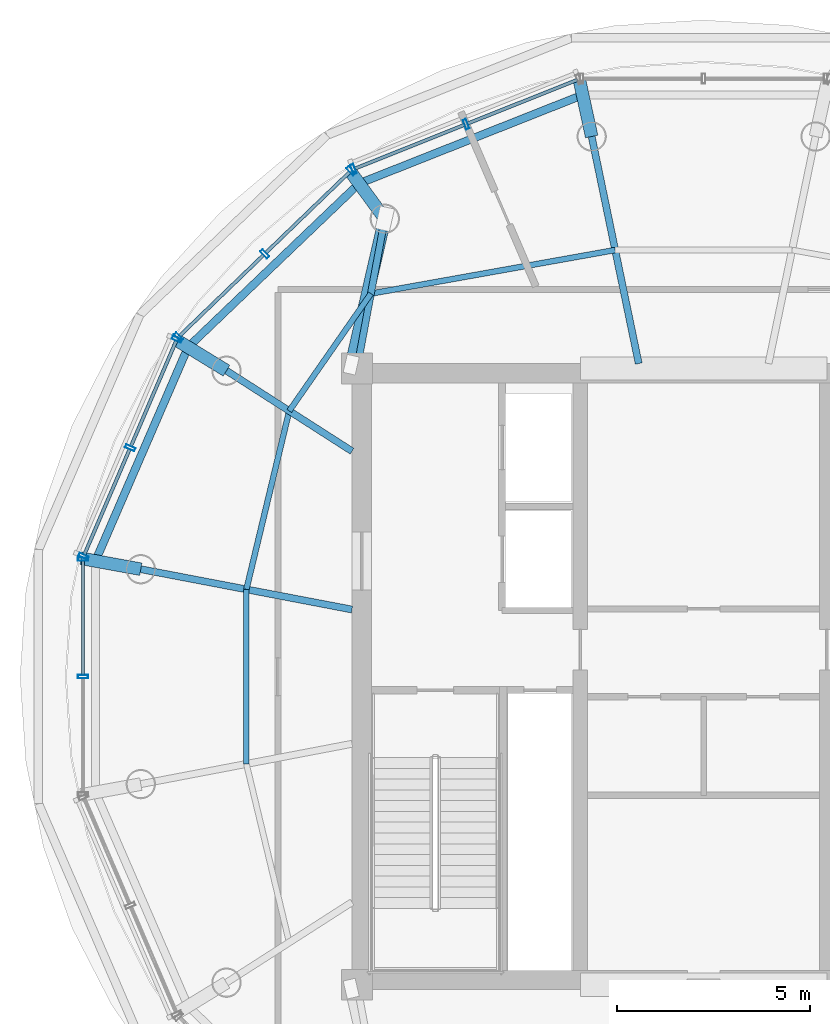
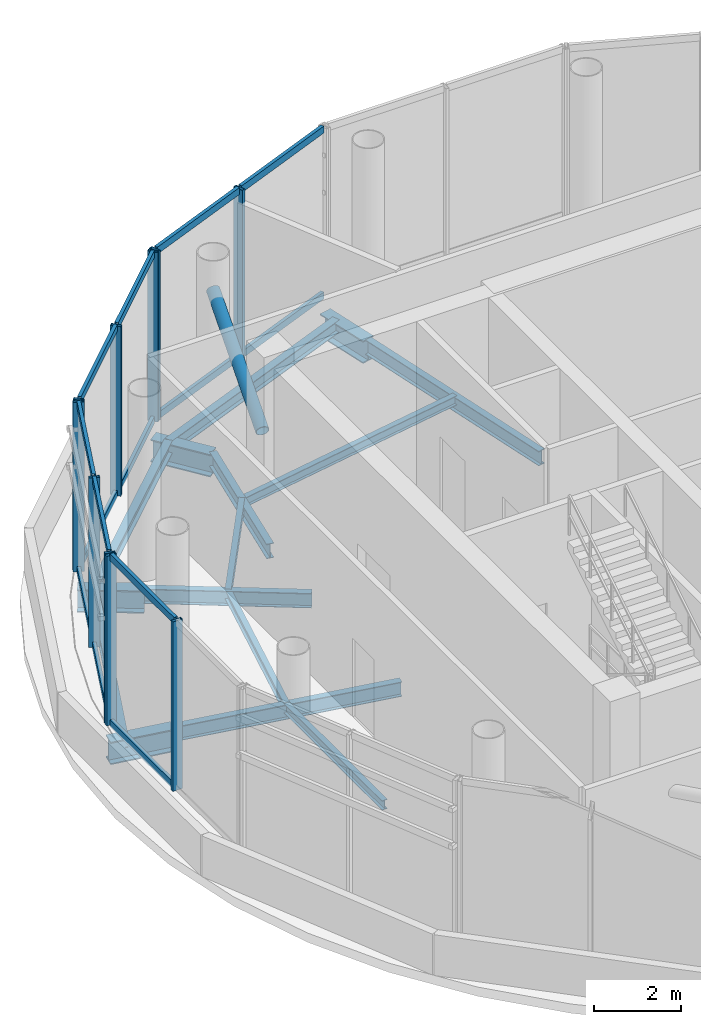
# One storey, part 5 of 14: 25 members, 15 beams, 4 elements without a shape of their own.
"""IFC4 building model written with IfcOpenShell, lengths in metres."""

from ifc_helpers import new_model, si_unit, direction, frame, origin, origin_2d, place, context, subcontext, project, spatial, hollow_rectangle, hollow_circle, i_section, extrude, source, transform, mapped, material, material_profile, profile_set, type_object, element, aggregate, save


model = new_model("IFC4")

# Units and contexts
model_context = context("Model", 3, precision=1e-05, world=origin(), true_north=direction((-0.2419218956, 0.970295726276)))
body_context = subcontext(model_context, "Body", "Model", "MODEL_VIEW")
ifc_project = project(units=[si_unit("LENGTHUNIT", "METRE"), si_unit("AREAUNIT", "SQUARE_METRE"), si_unit("VOLUMEUNIT", "CUBIC_METRE"), si_unit("PLANEANGLEUNIT", "RADIAN"), si_unit("MASSUNIT", "GRAM", prefix="KILO")], contexts=[model_context])

# Site, building, storey
site_placement = place(None, origin())
site = spatial("IfcSite", under=ifc_project, at=site_placement, CompositionType="ELEMENT")
building_placement = place(site_placement, origin())
building = spatial("IfcBuilding", under=site, at=building_placement, Name="Cobrevalo Terracotta Tower", CompositionType="ELEMENT")
storey_placement = place(building_placement, frame((0.0, 0.0, 321.699951171875)))
storey = spatial("IfcBuildingStorey", under=building, at=storey_placement, Name="L83", CompositionType="ELEMENT", Elevation=321.699951171875)

# Beams
ifc_material_1 = material(Name="Steel S355", Category="steel")
ifc_material_profile_1 = material_profile(ifc_material_1, i_section(OverallWidth=0.179931640625, OverallDepth=0.4130859375, WebThickness=0.009765625, FlangeThickness=0.01611328125, at=origin_2d()), Name="W 410x75")
ifc_profile_set_1 = profile_set([ifc_material_profile_1], Name="Steel S355")
beam_type_1 = type_object("IfcBeamType", Name="Structural Beam W 410x75 (Steel S355)", PredefinedType="BEAM", material=ifc_profile_set_1)
beam_1_placement = place(storey_placement, frame((35.09326171875, 40.8251953125, -0.62646484375), z_axis=(0.202919370173, -0.979195449953, 0.0), x_axis=(0.979195449953, 0.202919370173, 0.0)))
element("IfcBeam", 1, at=beam_1_placement, inside=storey, type_object=beam_type_1, Name="L83 radial floor girder 05", PredefinedType="BEAM", context=body_context, shape_type="SweptSolid", body=[
    extrude(i_section(OverallWidth=0.179931640625, OverallDepth=0.4130859375, WebThickness=0.009765625, FlangeThickness=0.01611328125, at=origin_2d()), origin(), (0.0, 0.0, 1.0), 6.0205078125),
])
beam_2_placement = place(storey_placement, frame((29.721923828125, 38.68994140625, -0.62646484375), z_axis=(-0.18247374128, -0.983210727028, 0.0), x_axis=(0.983210727028, -0.18247374128, 0.0)))
element("IfcBeam", 2, at=beam_2_placement, inside=storey, type_object=beam_type_1, Name="L83 radial floor girder 06", PredefinedType="BEAM", context=body_context, shape_type="SweptSolid", body=[
    extrude(i_section(OverallWidth=0.179931640625, OverallDepth=0.4130859375, WebThickness=0.009765625, FlangeThickness=0.01611328125, at=origin_2d()), origin(), (0.0, 0.0, 1.0), 3.956298828125),
])
beam_3_placement = place(storey_placement, frame((25.611083984375, 34.74462890625, -0.62646484375), z_axis=(0.841794646381, -0.539797900444, 0.0), x_axis=(0.539797900444, 0.841794646381, 0.0)))
element("IfcBeam", 3, at=beam_3_placement, inside=storey, type_object=beam_type_1, Name="L83 radial floor girder 07", PredefinedType="BEAM", context=body_context, shape_type="SweptSolid", body=[
    extrude(i_section(OverallWidth=0.179931640625, OverallDepth=0.4130859375, WebThickness=0.009765625, FlangeThickness=0.01611328125, at=origin_2d()), origin(), (0.0, 0.0, 1.0), 3.87158203125),
])
beam_4_placement = place(storey_placement, frame((23.38623046875, 29.58984375, -0.62646484375), z_axis=(0.982261932892, -0.187513986655, 0.0), x_axis=(0.187513986655, 0.982261932892, 0.0)))
element("IfcBeam", 4, at=beam_4_placement, inside=storey, type_object=beam_type_1, Name="L83 radial floor girder 08", PredefinedType="BEAM", context=body_context, shape_type="SweptSolid", body=[
    extrude(i_section(OverallWidth=0.179931640625, OverallDepth=0.4130859375, WebThickness=0.009765625, FlangeThickness=0.01611328125, at=origin_2d()), origin(), (0.0, 0.0, 1.0), 5.5830078125),
])
ifc_material_profile_2 = material_profile(ifc_material_1, i_section(OverallWidth=0.3291015625, OverallDepth=0.635009765625, WebThickness=0.017822265625, FlangeThickness=0.031005859375, at=origin_2d()), Name="W 610x241")
ifc_profile_set_2 = profile_set([ifc_material_profile_2], Name="Steel S355")
beam_type_2 = type_object("IfcBeamType", Name="Structural Beam W 610x241 (Steel S355)", PredefinedType="BEAM", material=ifc_profile_set_2)
beam_5_placement = place(storey_placement, frame((34.778564453125, 42.275390625, -0.737548828125), z_axis=(0.212067624066, -0.977254993757, 0.0), x_axis=(0.977254993757, 0.212067624066, 0.0)))
element("IfcBeam", 5, at=beam_5_placement, inside=storey, type_object=beam_type_2, Name="L83 setback step-link girder 05", PredefinedType="BEAM", context=body_context, shape_type="SweptSolid", body=[
    extrude(i_section(OverallWidth=0.3291015625, OverallDepth=0.635009765625, WebThickness=0.017822265625, FlangeThickness=0.031005859375, at=origin_2d()), origin(), (0.0, 0.0, 1.0), 1.48388671875),
])
beam_6_placement = place(storey_placement, frame((28.83154296875, 39.91162109375, -0.737548828125), z_axis=(0.588987623861, -0.808142053688, 0.0), x_axis=(0.808142053688, 0.588987623861, 0.0)))
element("IfcBeam", 6, at=beam_6_placement, inside=storey, type_object=beam_type_2, Name="L83 setback step-link girder 06", PredefinedType="BEAM", context=body_context, shape_type="SweptSolid", body=[
    extrude(i_section(OverallWidth=0.3291015625, OverallDepth=0.635009765625, WebThickness=0.017822265625, FlangeThickness=0.031005859375, at=origin_2d()), origin(), (0.0, 0.0, 1.0), 1.51171875),
])
beam_7_placement = place(storey_placement, frame((24.289306640625, 35.55419921875, -0.737548828125), z_axis=(0.852759676471, -0.522303488581, 0.0), x_axis=(0.522303488581, 0.852759676471, 0.0)))
element("IfcBeam", 7, at=beam_7_placement, inside=storey, type_object=beam_type_2, Name="L83 setback step-link girder 07", PredefinedType="BEAM", context=body_context, shape_type="SweptSolid", body=[
    extrude(i_section(OverallWidth=0.3291015625, OverallDepth=0.635009765625, WebThickness=0.017822265625, FlangeThickness=0.031005859375, at=origin_2d()), origin(), (0.0, 0.0, 1.0), 1.550048828125),
])
beam_8_placement = place(storey_placement, frame((21.83544921875, 29.87255859375, -0.737548828125), z_axis=(0.983785547298, -0.179348813566, 0.0), x_axis=(0.179348813566, 0.983785547298, 0.0)))
element("IfcBeam", 8, at=beam_8_placement, inside=storey, type_object=beam_type_2, Name="L83 setback step-link girder 08", PredefinedType="BEAM", context=body_context, shape_type="SweptSolid", body=[
    extrude(i_section(OverallWidth=0.3291015625, OverallDepth=0.635009765625, WebThickness=0.017822265625, FlangeThickness=0.031005859375, at=origin_2d()), origin(), (0.0, 0.0, 1.0), 1.576416015625),
])
ifc_material_profile_3 = material_profile(ifc_material_1, i_section(OverallWidth=0.14794921875, OverallDepth=0.26611328125, WebThickness=0.007568359375, FlangeThickness=0.012939453125, at=origin_2d()), Name="W 250x44.8")
ifc_profile_set_3 = profile_set([ifc_material_profile_3], Name="Steel S355")
beam_type_3 = type_object("IfcBeamType", Name="Structural Joist W 250x44.8 (Steel S355)", PredefinedType="JOIST", material=ifc_profile_set_3)
beam_9_placement = place(storey_placement, frame((35.7041015625, 37.877685546875, -0.552978515625), z_axis=(-0.984430619707, -0.175773590117, 0.0), x_axis=(0.175773590117, -0.984430619707, 0.0)))
element("IfcBeam", 9, at=beam_9_placement, inside=storey, type_object=beam_type_3, Name="L83 circumferential secondary floor joist 05", PredefinedType="JOIST", context=body_context, shape_type="SweptSolid", body=[
    extrude(i_section(OverallWidth=0.14794921875, OverallDepth=0.26611328125, WebThickness=0.007568359375, FlangeThickness=0.012939453125, at=origin_2d()), origin(), (0.0, 0.0, 1.0), 6.443359375),
])
beam_10_placement = place(storey_placement, frame((29.361083984375, 36.7451171875, -0.552978515625), z_axis=(-0.571438375461, -0.82064497991, 0.0), x_axis=(0.82064497991, -0.571438375461, 0.0)))
element("IfcBeam", 10, at=beam_10_placement, inside=storey, type_object=beam_type_3, Name="L83 circumferential secondary floor joist 06", PredefinedType="JOIST", context=body_context, shape_type="SweptSolid", body=[
    extrude(i_section(OverallWidth=0.14794921875, OverallDepth=0.26611328125, WebThickness=0.007568359375, FlangeThickness=0.012939453125, at=origin_2d()), origin(), (0.0, 0.0, 1.0), 3.7109375),
])
beam_11_placement = place(storey_placement, frame((27.240478515625, 33.69970703125, -0.552978515625), z_axis=(-0.233434963284, -0.972372417295, 0.0), x_axis=(0.972372417295, -0.233434963284, 0.0)))
element("IfcBeam", 11, at=beam_11_placement, inside=storey, type_object=beam_type_3, Name="L83 circumferential secondary floor joist 07", PredefinedType="JOIST", context=body_context, shape_type="SweptSolid", body=[
    extrude(i_section(OverallWidth=0.14794921875, OverallDepth=0.26611328125, WebThickness=0.007568359375, FlangeThickness=0.012939453125, at=origin_2d()), origin(), (0.0, 0.0, 1.0), 4.764892578125),
])
beam_12_placement = place(storey_placement, frame((26.128173828125, 29.06640625, -0.552978515625), z_axis=(0.0, -1.0, 0.0), x_axis=(1.0, 0.0, 0.0)))
element("IfcBeam", 12, at=beam_12_placement, inside=storey, type_object=beam_type_3, Name="L83 circumferential secondary floor joist 08", PredefinedType="JOIST", context=body_context, shape_type="SweptSolid", body=[
    extrude(i_section(OverallWidth=0.14794921875, OverallDepth=0.26611328125, WebThickness=0.007568359375, FlangeThickness=0.012939453125, at=origin_2d()), origin(), (0.0, 0.0, 1.0), 4.53271484375),
])
ifc_material_profile_4 = material_profile(ifc_material_1, i_section(OverallWidth=0.205078125, OverallDepth=0.35400390625, WebThickness=0.009521484375, FlangeThickness=0.016845703125, at=origin_2d()), Name="W 360x79")
ifc_profile_set_4 = profile_set([ifc_material_profile_4], Name="Steel S355")
beam_type_4 = type_object("IfcBeamType", Name="Structural Spandrel W 360x79 (Steel S355)", PredefinedType="SPANDREL", material=ifc_profile_set_4)
beam_13_placement = place(storey_placement, frame((34.859130859375, 41.904052734375, -0.596923828125), z_axis=(-0.929696156532, -0.368327376839, 0.0), x_axis=(0.368327376839, -0.929696156532, 0.0)))
element("IfcBeam", 13, at=beam_13_placement, inside=storey, type_object=beam_type_4, Name="L83 perimeter ring spandrel 05", PredefinedType="SPANDREL", context=body_context, shape_type="SweptSolid", body=[
    extrude(i_section(OverallWidth=0.205078125, OverallDepth=0.35400390625, WebThickness=0.009521484375, FlangeThickness=0.016845703125, at=origin_2d()), origin(), (0.0, 0.0, 1.0), 6.24267578125),
])
beam_14_placement = place(storey_placement, frame((29.055419921875, 39.604736328125, -0.596923828125), z_axis=(-0.72264013205, -0.691224449475, 0.0), x_axis=(0.691224449475, -0.72264013205, 0.0)))
element("IfcBeam", 14, at=beam_14_placement, inside=storey, type_object=beam_type_4, Name="L83 perimeter ring spandrel 06", PredefinedType="SPANDREL", context=body_context, shape_type="SweptSolid", body=[
    extrude(i_section(OverallWidth=0.205078125, OverallDepth=0.35400390625, WebThickness=0.009521484375, FlangeThickness=0.016845703125, at=origin_2d()), origin(), (0.0, 0.0, 1.0), 6.147216796875),
])
beam_15_placement = place(storey_placement, frame((24.61328125, 35.355712890625, -0.596923828125), z_axis=(-0.397365049134, -0.917660622304, 0.0), x_axis=(0.917660622304, -0.397365049134, 0.0)))
element("IfcBeam", 15, at=beam_15_placement, inside=storey, type_object=beam_type_4, Name="L83 perimeter ring spandrel 07", PredefinedType="SPANDREL", context=body_context, shape_type="SweptSolid", body=[
    extrude(i_section(OverallWidth=0.205078125, OverallDepth=0.35400390625, WebThickness=0.009521484375, FlangeThickness=0.016845703125, at=origin_2d()), origin(), (0.0, 0.0, 1.0), 6.04931640625),
])

# Member
ifc_material_profile_5 = material_profile(ifc_material_1, hollow_circle(Radius=0.162109375, WallThickness=0.013916015625, at=origin_2d()), Name="CHS 324x14")
ifc_profile_set_5 = profile_set([ifc_material_profile_5], Name="Steel S355")
member_type_1 = type_object("IfcMemberType", Name="Steel Brace CHS 324x14 (Steel S355)", PredefinedType="BRACE", material=ifc_profile_set_5)
shared_shape_1 = source(origin(), body_context, "Body", "SweptSolid", [
    extrude(hollow_circle(Radius=0.162109375, WallThickness=0.013916015625, at=origin_2d()), origin(), (0.0, 0.0, 1.0), 4.126708984375),
])
member_1_placement = place(storey_placement, frame((28.85009765625, 34.89990234375, 2.75), z_axis=(0.211267372013, 0.918430322917, 0.334442580227), x_axis=(-0.974548603832, 0.224176311794, 0.0)))
element("IfcMember", 16, at=member_1_placement, inside=storey, type_object=member_type_1, Name="L83 CROWN FRAME radial brace 02", PredefinedType="BRACE", context=body_context, shape_type="MappedRepresentation", body=[
    mapped(shared_shape_1, transform((0.0, 0.0, 0.0), scale=1.0)),
])

# Curtain wall, members
ifc_material_2 = material(Name="Anodized aluminium", Category="aluminium")
curtain_wall_type = type_object("IfcCurtainWallType", Name="Faceted glass-point crown structural glazing system CW-CR", PredefinedType="NOTDEFINED", material=ifc_material_2)
curtain_wall_1_placement = place(storey_placement, origin())
curtain_wall_1 = element("IfcCurtainWall", 17, at=curtain_wall_1_placement, inside=storey, type_object=curtain_wall_type, Name="L83 curtain wall CW-CRN-L83-S05", PredefinedType="NOTDEFINED")
ifc_material_profile_6 = material_profile(ifc_material_2, hollow_rectangle(XDim=0.090087890625, YDim=0.260009765625, WallThickness=0.006103515625, at=origin_2d()), Name="CWM 90x260")
ifc_profile_set_6 = profile_set([ifc_material_profile_6], Name="Anodized aluminium")
member_type_2 = type_object("IfcMemberType", Name="Crown structural glass mullion 90x260", PredefinedType="MULLION", material=ifc_profile_set_6)
shared_shape_2 = source(origin(), body_context, "Body", "SweptSolid", [
    extrude(hollow_rectangle(XDim=0.090087890625, YDim=0.260009765625, WallThickness=0.006103515625, at=origin_2d()), origin(), (0.0, 0.0, 1.0), 4.780029296875),
])
member_2_placement = place(storey_placement, frame((31.833251953125, 41.14404296875, 0.0), z_axis=(0.0, 0.0, 1.0), x_axis=(-0.928770743095, -0.370654700187, 0.0)))
member_2 = element("IfcMember", 18, at=member_2_placement, type_object=member_type_2, Name="CW-CRN-L83-S05 vertical mullion 02", PredefinedType="MULLION", context=body_context, shape_type="MappedRepresentation", body=[
    mapped(shared_shape_2, transform((0.0, 0.0, 0.0), scale=1.0)),
])
member_3_placement = place(storey_placement, frame((28.9091796875, 39.97705078125, 0.0), z_axis=(0.0, 0.0, 1.0), x_axis=(-0.928770743095, -0.370654700187, 0.0)))
member_3 = element("IfcMember", 19, at=member_3_placement, type_object=member_type_2, Name="CW-CRN-L83-S05 vertical mullion 03", PredefinedType="MULLION", context=body_context, shape_type="MappedRepresentation", body=[
    mapped(shared_shape_2, transform((0.0, 0.0, 0.0), scale=1.0)),
])

curtain_wall_2_placement = place(storey_placement, origin())
curtain_wall_2 = element("IfcCurtainWall", 20, at=curtain_wall_2_placement, inside=storey, type_object=curtain_wall_type, Name="L83 curtain wall CW-CRN-L83-S06", PredefinedType="NOTDEFINED")
member_4_placement = place(storey_placement, frame((28.84326171875, 39.934326171875, 0.0), z_axis=(0.0, 0.0, 1.0), x_axis=(-0.72013951191, -0.693829289801, 0.0)))
member_4 = element("IfcMember", 21, at=member_4_placement, type_object=member_type_2, Name="CW-CRN-L83-S06 vertical mullion 01", PredefinedType="MULLION", context=body_context, shape_type="MappedRepresentation", body=[
    mapped(shared_shape_2, transform((0.0, 0.0, 0.0), scale=1.0)),
])
member_5_placement = place(storey_placement, frame((26.60546875, 37.7783203125, 0.0), z_axis=(0.0, 0.0, 1.0), x_axis=(-0.72013951191, -0.693829289801, 0.0)))
member_5 = element("IfcMember", 22, at=member_5_placement, type_object=member_type_2, Name="CW-CRN-L83-S06 vertical mullion 02", PredefinedType="MULLION", context=body_context, shape_type="MappedRepresentation", body=[
    mapped(shared_shape_2, transform((0.0, 0.0, 0.0), scale=1.0)),
])
member_6_placement = place(storey_placement, frame((24.36767578125, 35.622314453125, 0.0), z_axis=(0.0, 0.0, 1.0), x_axis=(-0.72013951191, -0.693829289801, 0.0)))
member_6 = element("IfcMember", 23, at=member_6_placement, type_object=member_type_2, Name="CW-CRN-L83-S06 vertical mullion 03", PredefinedType="MULLION", context=body_context, shape_type="MappedRepresentation", body=[
    mapped(shared_shape_2, transform((0.0, 0.0, 0.0), scale=1.0)),
])

curtain_wall_3_placement = place(storey_placement, origin())
curtain_wall_3 = element("IfcCurtainWall", 24, at=curtain_wall_3_placement, inside=storey, type_object=curtain_wall_type, Name="L83 curtain wall CW-CRN-L83-S07", PredefinedType="NOTDEFINED")
member_7_placement = place(storey_placement, frame((24.3232421875, 35.557861328125, 0.0), z_axis=(0.0, 0.0, 1.0), x_axis=(-0.394968347643, -0.918694728602, 0.0)))
member_7 = element("IfcMember", 25, at=member_7_placement, type_object=member_type_2, Name="CW-CRN-L83-S07 vertical mullion 01", PredefinedType="MULLION", context=body_context, shape_type="MappedRepresentation", body=[
    mapped(shared_shape_2, transform((0.0, 0.0, 0.0), scale=1.0)),
])
member_8_placement = place(storey_placement, frame((23.1123046875, 32.741455078125, 0.0), z_axis=(0.0, 0.0, 1.0), x_axis=(-0.394968347643, -0.918694728602, 0.0)))
member_8 = element("IfcMember", 26, at=member_8_placement, type_object=member_type_2, Name="CW-CRN-L83-S07 vertical mullion 02", PredefinedType="MULLION", context=body_context, shape_type="MappedRepresentation", body=[
    mapped(shared_shape_2, transform((0.0, 0.0, 0.0), scale=1.0)),
])
member_9_placement = place(storey_placement, frame((21.901611328125, 29.925048828125, 0.0), z_axis=(0.0, 0.0, 1.0), x_axis=(-0.394968347643, -0.918694728602, 0.0)))
member_9 = element("IfcMember", 27, at=member_9_placement, type_object=member_type_2, Name="CW-CRN-L83-S07 vertical mullion 03", PredefinedType="MULLION", context=body_context, shape_type="MappedRepresentation", body=[
    mapped(shared_shape_2, transform((0.0, 0.0, 0.0), scale=1.0)),
])

curtain_wall_4_placement = place(storey_placement, origin())
curtain_wall_4 = element("IfcCurtainWall", 28, at=curtain_wall_4_placement, inside=storey, type_object=curtain_wall_type, Name="L83 curtain wall CW-CRN-L83-S08", PredefinedType="NOTDEFINED")
member_10_placement = place(storey_placement, frame((21.8857421875, 29.848388671875, 0.0), z_axis=(0.0, 0.0, 1.0), x_axis=(0.0, -1.0, 0.0)))
member_10 = element("IfcMember", 29, at=member_10_placement, type_object=member_type_2, Name="CW-CRN-L83-S08 vertical mullion 01", PredefinedType="MULLION", context=body_context, shape_type="MappedRepresentation", body=[
    mapped(shared_shape_2, transform((0.0, 0.0, 0.0), scale=1.0)),
])
member_11_placement = place(storey_placement, frame((21.8857421875, 26.800048828125, 0.0), z_axis=(0.0, 0.0, 1.0), x_axis=(0.0, -1.0, 0.0)))
member_11 = element("IfcMember", 30, at=member_11_placement, type_object=member_type_2, Name="CW-CRN-L83-S08 vertical mullion 02", PredefinedType="MULLION", context=body_context, shape_type="MappedRepresentation", body=[
    mapped(shared_shape_2, transform((0.0, 0.0, 0.0), scale=1.0)),
])

# Member
ifc_material_profile_7 = material_profile(ifc_material_2, hollow_rectangle(XDim=0.090087890625, YDim=0.195068359375, WallThickness=0.005615234375, at=origin_2d()), Name="CWT 90x195")
ifc_profile_set_7 = profile_set([ifc_material_profile_7], Name="Anodized aluminium")
member_type_3 = type_object("IfcMemberType", Name="Crown structural aluminium transom 90x195", PredefinedType="USERDEFINED", material=ifc_profile_set_7)
shared_shape_3 = source(origin(), body_context, "Body", "SweptSolid", [
    extrude(hollow_rectangle(XDim=0.090087890625, YDim=0.195068359375, WallThickness=0.005615234375, at=origin_2d()), origin(), (0.0, 0.0, 1.0), 2.98583984375),
])
member_12_placement = place(storey_placement, frame((23.096435546875, 32.704833984375, 0.050048828125), z_axis=(-0.394925619427, -0.918713097284, 0.0), x_axis=(0.918713097284, -0.394925619427, 0.0)))
member_12 = element("IfcMember", 31, at=member_12_placement, type_object=member_type_3, Name="CW-CRN-L83-S07 transom B02-T1", ObjectType="TRANSOM", PredefinedType="USERDEFINED", context=body_context, shape_type="MappedRepresentation", body=[
    mapped(shared_shape_3, transform((0.0, 0.0, 0.0), scale=1.0)),
])

member_13_placement = place(storey_placement, frame((23.096435546875, 32.704833984375, 4.72998046875), z_axis=(-0.394925619427, -0.918713097284, 0.0), x_axis=(0.918713097284, -0.394925619427, 0.0)))
member_13 = element("IfcMember", 32, at=member_13_placement, type_object=member_type_3, Name="CW-CRN-L83-S07 transom B02-T2", ObjectType="TRANSOM", PredefinedType="USERDEFINED", context=body_context, shape_type="MappedRepresentation", body=[
    mapped(shared_shape_3, transform((0.0, 0.0, 0.0), scale=1.0)),
])

shared_shape_4 = source(origin(), body_context, "Body", "SweptSolid", [
    extrude(hollow_rectangle(XDim=0.090087890625, YDim=0.195068359375, WallThickness=0.005615234375, at=origin_2d()), origin(), (0.0, 0.0, 1.0), 2.985595703125),
])
member_14_placement = place(storey_placement, frame((24.307373046875, 35.521240234375, 0.050048828125), z_axis=(-0.39495528775, -0.918700343245, 0.0), x_axis=(0.918700343245, -0.39495528775, 0.0)))
member_14 = element("IfcMember", 33, at=member_14_placement, type_object=member_type_3, Name="CW-CRN-L83-S07 transom B01-T1", ObjectType="TRANSOM", PredefinedType="USERDEFINED", context=body_context, shape_type="MappedRepresentation", body=[
    mapped(shared_shape_4, transform((0.0, 0.0, 0.0), scale=1.0)),
])

member_15_placement = place(storey_placement, frame((24.307373046875, 35.521240234375, 4.72998046875), z_axis=(-0.39495528775, -0.918700343245, 0.0), x_axis=(0.918700343245, -0.39495528775, 0.0)))
member_15 = element("IfcMember", 34, at=member_15_placement, type_object=member_type_3, Name="CW-CRN-L83-S07 transom B01-T2", ObjectType="TRANSOM", PredefinedType="USERDEFINED", context=body_context, shape_type="MappedRepresentation", body=[
    mapped(shared_shape_4, transform((0.0, 0.0, 0.0), scale=1.0)),
])

aggregate(curtain_wall_3, [member_7, member_8, member_9, member_14, member_15, member_12, member_13])

shared_shape_5 = source(origin(), body_context, "Body", "SweptSolid", [
    extrude(hollow_rectangle(XDim=0.090087890625, YDim=0.195068359375, WallThickness=0.005615234375, at=origin_2d()), origin(), (0.0, 0.0, 1.0), 3.027587890625),
])
member_16_placement = place(storey_placement, frame((28.814453125, 39.90673828125, 0.050048828125), z_axis=(-0.720129171854, -0.693840021795, 0.0), x_axis=(0.693840021795, -0.720129171854, 0.0)))
member_16 = element("IfcMember", 35, at=member_16_placement, type_object=member_type_3, Name="CW-CRN-L83-S06 transom B01-T1", ObjectType="TRANSOM", PredefinedType="USERDEFINED", context=body_context, shape_type="MappedRepresentation", body=[
    mapped(shared_shape_5, transform((0.0, 0.0, 0.0), scale=1.0)),
])

member_17_placement = place(storey_placement, frame((28.814453125, 39.90673828125, 4.72998046875), z_axis=(-0.720129171854, -0.693840021795, 0.0), x_axis=(0.693840021795, -0.720129171854, 0.0)))
member_17 = element("IfcMember", 36, at=member_17_placement, type_object=member_type_3, Name="CW-CRN-L83-S06 transom B01-T2", ObjectType="TRANSOM", PredefinedType="USERDEFINED", context=body_context, shape_type="MappedRepresentation", body=[
    mapped(shared_shape_5, transform((0.0, 0.0, 0.0), scale=1.0)),
])

member_18_placement = place(storey_placement, frame((26.57666015625, 37.750732421875, 0.050048828125), z_axis=(-0.720129171854, -0.693840021795, 0.0), x_axis=(0.693840021795, -0.720129171854, 0.0)))
member_18 = element("IfcMember", 37, at=member_18_placement, type_object=member_type_3, Name="CW-CRN-L83-S06 transom B02-T1", ObjectType="TRANSOM", PredefinedType="USERDEFINED", context=body_context, shape_type="MappedRepresentation", body=[
    mapped(shared_shape_5, transform((0.0, 0.0, 0.0), scale=1.0)),
])

member_19_placement = place(storey_placement, frame((26.57666015625, 37.750732421875, 4.72998046875), z_axis=(-0.720129171854, -0.693840021795, 0.0), x_axis=(0.693840021795, -0.720129171854, 0.0)))
member_19 = element("IfcMember", 38, at=member_19_placement, type_object=member_type_3, Name="CW-CRN-L83-S06 transom B02-T2", ObjectType="TRANSOM", PredefinedType="USERDEFINED", context=body_context, shape_type="MappedRepresentation", body=[
    mapped(shared_shape_5, transform((0.0, 0.0, 0.0), scale=1.0)),
])

aggregate(curtain_wall_2, [member_4, member_5, member_6, member_16, member_17, member_18, member_19])

shared_shape_6 = source(origin(), body_context, "Body", "SweptSolid", [
    extrude(hollow_rectangle(XDim=0.090087890625, YDim=0.195068359375, WallThickness=0.005615234375, at=origin_2d()), origin(), (0.0, 0.0, 1.0), 3.068359375),
])
member_20_placement = place(storey_placement, frame((31.796142578125, 41.129150390625, 0.050048828125), z_axis=(-0.928756274811, -0.370690952141, 0.0), x_axis=(0.370690952141, -0.928756274811, 0.0)))
member_20 = element("IfcMember", 39, at=member_20_placement, type_object=member_type_3, Name="CW-CRN-L83-S05 transom B02-T1", ObjectType="TRANSOM", PredefinedType="USERDEFINED", context=body_context, shape_type="MappedRepresentation", body=[
    mapped(shared_shape_6, transform((0.0, 0.0, 0.0), scale=1.0)),
])

member_21_placement = place(storey_placement, frame((31.796142578125, 41.129150390625, 4.72998046875), z_axis=(-0.928756274811, -0.370690952141, 0.0), x_axis=(0.370690952141, -0.928756274811, 0.0)))
member_21 = element("IfcMember", 40, at=member_21_placement, type_object=member_type_3, Name="CW-CRN-L83-S05 transom B02-T2", ObjectType="TRANSOM", PredefinedType="USERDEFINED", context=body_context, shape_type="MappedRepresentation", body=[
    mapped(shared_shape_6, transform((0.0, 0.0, 0.0), scale=1.0)),
])

shared_shape_7 = source(origin(), body_context, "Body", "SweptSolid", [
    extrude(hollow_rectangle(XDim=0.090087890625, YDim=0.195068359375, WallThickness=0.005615234375, at=origin_2d()), origin(), (0.0, 0.0, 1.0), 3.068603515625),
])
member_22_placement = place(storey_placement, frame((34.720458984375, 42.296142578125, 0.050048828125), z_axis=(-0.928794593829, -0.370594930448, 0.0), x_axis=(0.370594930448, -0.928794593829, 0.0)))
member_22 = element("IfcMember", 41, at=member_22_placement, type_object=member_type_3, Name="CW-CRN-L83-S05 transom B01-T1", ObjectType="TRANSOM", PredefinedType="USERDEFINED", context=body_context, shape_type="MappedRepresentation", body=[
    mapped(shared_shape_7, transform((0.0, 0.0, 0.0), scale=1.0)),
])

member_23_placement = place(storey_placement, frame((34.720458984375, 42.296142578125, 4.72998046875), z_axis=(-0.928794593829, -0.370594930448, 0.0), x_axis=(0.370594930448, -0.928794593829, 0.0)))
member_23 = element("IfcMember", 42, at=member_23_placement, type_object=member_type_3, Name="CW-CRN-L83-S05 transom B01-T2", ObjectType="TRANSOM", PredefinedType="USERDEFINED", context=body_context, shape_type="MappedRepresentation", body=[
    mapped(shared_shape_7, transform((0.0, 0.0, 0.0), scale=1.0)),
])

aggregate(curtain_wall_1, [member_2, member_3, member_22, member_23, member_20, member_21])

shared_shape_8 = source(origin(), body_context, "Body", "SweptSolid", [
    extrude(hollow_rectangle(XDim=0.090087890625, YDim=0.195068359375, WallThickness=0.005615234375, at=origin_2d()), origin(), (0.0, 0.0, 1.0), 2.96826171875),
])
member_24_placement = place(storey_placement, frame((21.8857421875, 29.808349609375, 0.050048828125), z_axis=(0.0, -1.0, 0.0), x_axis=(1.0, 0.0, 0.0)))
member_24 = element("IfcMember", 43, at=member_24_placement, type_object=member_type_3, Name="CW-CRN-L83-S08 transom B01-T1", ObjectType="TRANSOM", PredefinedType="USERDEFINED", context=body_context, shape_type="MappedRepresentation", body=[
    mapped(shared_shape_8, transform((0.0, 0.0, 0.0), scale=1.0)),
])

member_25_placement = place(storey_placement, frame((21.8857421875, 29.808349609375, 4.72998046875), z_axis=(0.0, -1.0, 0.0), x_axis=(1.0, 0.0, 0.0)))
member_25 = element("IfcMember", 44, at=member_25_placement, type_object=member_type_3, Name="CW-CRN-L83-S08 transom B01-T2", ObjectType="TRANSOM", PredefinedType="USERDEFINED", context=body_context, shape_type="MappedRepresentation", body=[
    mapped(shared_shape_8, transform((0.0, 0.0, 0.0), scale=1.0)),
])

aggregate(curtain_wall_4, [member_10, member_11, member_24, member_25])

save(model, "model.ifc")
